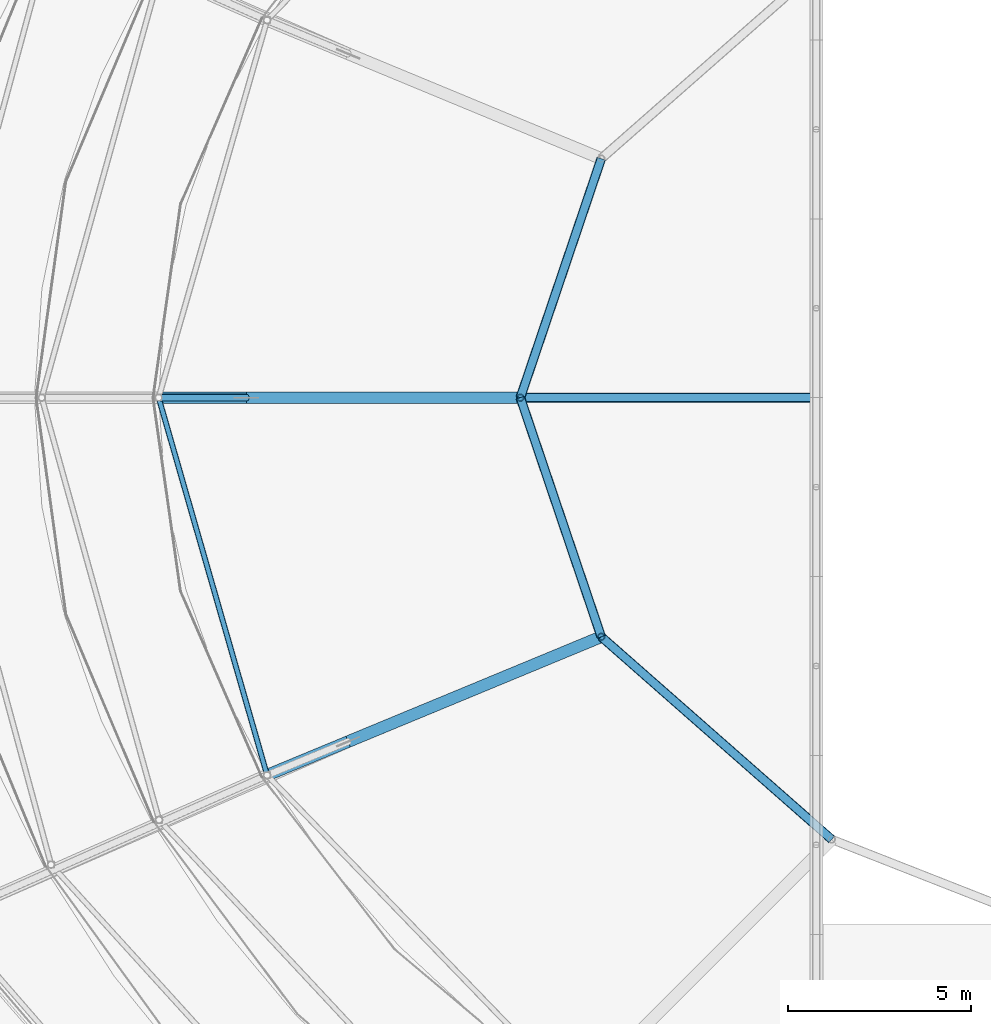
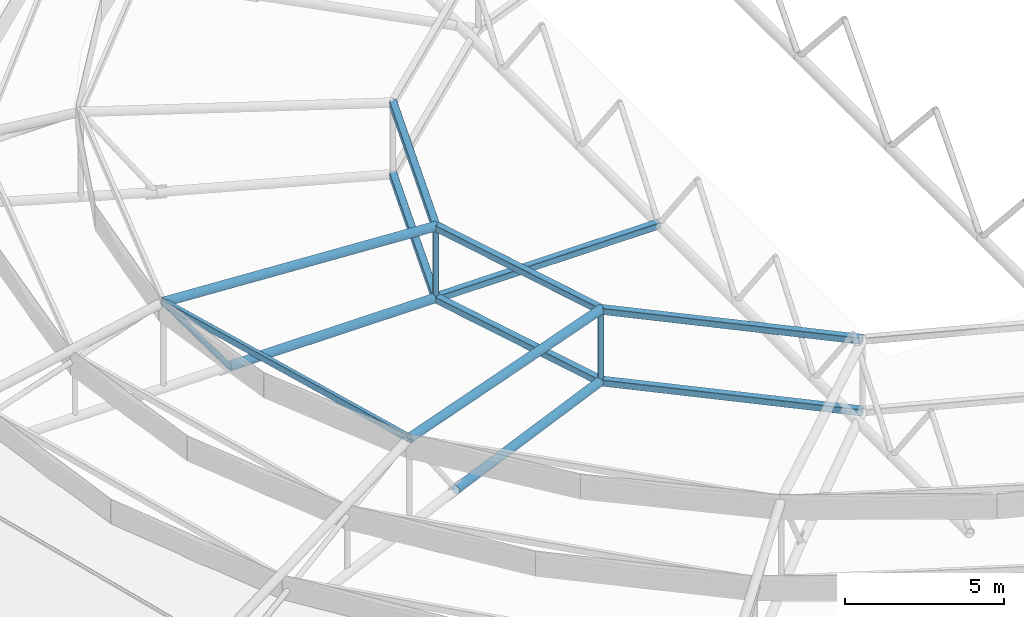
# One storey, part 18 of 134: 14 members, 1 beam.
"""IFC4 building model written with IfcOpenShell, lengths in metres."""

import ifcopenshell
import ifcopenshell.guid

model = None  # the IFC model being written
_history = None  # IfcOwnerHistory: only IFC2X3 demands one
_inside = {}  # id of a spatial element -> (the spatial element, [elements in it])
_under = {}  # id of a project, library or spatial element -> (it, [spatial elements below it])
_declared = {}  # id of a project -> (the project, [libraries it declares])
_typed = {}  # id of a type object -> (the type object, [elements of that type])
_made_of = {}  # id of a material, layer set ... -> (it, [elements and type objects made of it])


def new_model(schema):
    """Start an empty IFC model of exactly this schema.

    Asked for "IFC4X3", IfcOpenShell would pick the latest addendum, in which some entities
    have other attributes; the version numbers below select the first issue.
    IFC2X3 requires an IfcOwnerHistory on every rooted entity: one is made here for all.
    """
    global model, _history
    if schema == "IFC4X3":
        model = ifcopenshell.file(schema_version=(4, 3, 0, 0))
    else:
        model = ifcopenshell.file(schema=schema)
    _inside.clear()
    _under.clear()
    _declared.clear()
    _typed.clear()
    _made_of.clear()
    _history = None
    if model.schema == "IFC2X3":
        org = make("IfcOrganization", Name="unknown")
        user = make(
            "IfcPersonAndOrganization",
            ThePerson=make("IfcPerson", FamilyName="unknown"),
            TheOrganization=org,
        )
        app = make(
            "IfcApplication",
            ApplicationDeveloper=org,
            Version="unknown",
            ApplicationFullName="unknown",
            ApplicationIdentifier="unknown",
        )
        _history = make(
            "IfcOwnerHistory",
            OwningUser=user,
            OwningApplication=app,
            ChangeAction="ADDED",
            CreationDate=0,
        )
    return model


def make(cls, **values):
    """One entity of the class cls with the attributes given. An attribute that is None is left unset."""
    return model.create_entity(
        cls, **{name: value for name, value in values.items() if value is not None}
    )


def rooted(cls, **values):
    """An entity with a GlobalId (a new one), such as an element, a storey or a relation."""
    return make(cls, GlobalId=ifcopenshell.guid.new(), OwnerHistory=_history, **values)


def si_unit(unit_type, name, prefix=None):
    """IfcSIUnit, for example si_unit("LENGTHUNIT", "METRE", prefix="MILLI")."""
    return make("IfcSIUnit", UnitType=unit_type, Prefix=prefix, Name=name)


def derived_unit(unit_type, elements):
    """IfcDerivedUnit: a product of units, each with its exponent."""
    return make(
        "IfcDerivedUnit",
        Elements=[
            make("IfcDerivedUnitElement", Unit=unit, Exponent=power)
            for unit, power in elements
        ],
        UnitType=unit_type,
    )


def assignment(units):
    """IfcUnitAssignment: the units of a project."""
    return None if units is None else make("IfcUnitAssignment", Units=units)


def point(xyz):
    """IfcCartesianPoint."""
    return None if xyz is None else make("IfcCartesianPoint", Coordinates=xyz)


def direction(xyz):
    """IfcDirection."""
    return None if xyz is None else make("IfcDirection", DirectionRatios=xyz)


def frame(location, z_axis=None, x_axis=None):
    """IfcAxis2Placement3D, a coordinate frame: its origin and axes. An axis left out is left unset."""
    return make(
        "IfcAxis2Placement3D",
        Location=point(location),
        Axis=direction(z_axis),
        RefDirection=direction(x_axis),
    )


def frame_2d(location, x_axis=None):
    """IfcAxis2Placement2D, a coordinate frame in the plane: its origin and x axis."""
    return make(
        "IfcAxis2Placement2D", Location=point(location), RefDirection=direction(x_axis)
    )


def origin():
    """The frame at (0, 0, 0) with its axes left unset."""
    return frame((0.0, 0.0, 0.0))


def origin_2d():
    """The frame at (0, 0) in the plane with its x axis left unset."""
    return frame_2d((0.0, 0.0))


def place(relative_to, where):
    """IfcLocalPlacement: puts the frame where relative to a parent placement (None: the world)."""
    return make(
        "IfcLocalPlacement", PlacementRelTo=relative_to, RelativePlacement=where
    )


def context(
    kind, dimensions, precision=None, world=None, true_north=None, identifier=None
):
    """IfcGeometricRepresentationContext, for example the 3D "Model" context."""
    return make(
        "IfcGeometricRepresentationContext",
        ContextIdentifier=identifier,
        ContextType=kind,
        CoordinateSpaceDimension=dimensions,
        Precision=precision,
        WorldCoordinateSystem=world,
        TrueNorth=true_north,
    )


def subcontext(parent, identifier, kind, view, scale=None):
    """IfcGeometricRepresentationSubContext, for example "Body" below "Model"."""
    return make(
        "IfcGeometricRepresentationSubContext",
        ContextIdentifier=identifier,
        ContextType=kind,
        ParentContext=parent,
        TargetScale=scale,
        TargetView=view,
    )


def project(units=None, contexts=None):
    """IfcProject with its units and contexts."""
    return rooted(
        "IfcProject",
        Name="project",
        RepresentationContexts=contexts,
        UnitsInContext=assignment(units),
    )


def spatial(cls, under=None, at=None, **own):
    """A site, building, storey or space (cls), placed at a placement, below another one or the project."""
    s = rooted(cls, ObjectPlacement=at, **own)
    if under is not None:
        _under.setdefault(under.id(), (under, []))[1].append(s)
    return s


def profile(cls, at=None, kind="AREA", **sizes):
    """A parametric profile (cls). Its sizes go by their IFC names, for example OverallWidth=200.0."""
    return make(cls, ProfileType=kind, Position=at, **sizes)


def hollow_rectangle(**sizes):
    """IfcRectangleHollowProfileDef."""
    return profile("IfcRectangleHollowProfileDef", **sizes)


def hollow_circle(**sizes):
    """IfcCircleHollowProfileDef."""
    return profile("IfcCircleHollowProfileDef", **sizes)


def extrude(swept, where, along, depth):
    """IfcExtrudedAreaSolid: the profile swept, set in the frame where, extruded along a direction by depth."""
    return make(
        "IfcExtrudedAreaSolid",
        SweptArea=swept,
        Position=where,
        ExtrudedDirection=direction(along),
        Depth=depth,
    )


def shape(context_of_items, identifier, shape_type, items):
    """IfcShapeRepresentation: the items that make up one representation, for example the "Body"."""
    return make(
        "IfcShapeRepresentation",
        ContextOfItems=context_of_items,
        RepresentationIdentifier=identifier,
        RepresentationType=shape_type,
        Items=items,
    )


def material(Name=None, Category=None):
    """IfcMaterial."""
    return make("IfcMaterial", Name=Name, Category=Category)


def material_profile(
    of_material, cross_section, Name=None, Category=None, Priority=None
):
    """IfcMaterialProfile: a cross section and its material."""
    return make(
        "IfcMaterialProfile",
        Name=Name,
        Material=of_material,
        Profile=cross_section,
        Priority=Priority,
        Category=Category,
    )


def profile_set(profiles, Name=None, composite=None):
    """IfcMaterialProfileSet."""
    return make(
        "IfcMaterialProfileSet",
        Name=Name,
        MaterialProfiles=profiles,
        CompositeProfile=composite,
    )


def made_of(thing, what):
    """Note that an element or type object is made of a material, layer set ...; save() writes the relation."""
    if what is not None:
        _made_of.setdefault(what.id(), (what, []))[1].append(thing)
    return thing


def type_object(cls, material=None, **own):
    """A type object (cls), such as IfcWallType, which elements share."""
    return made_of(rooted(cls, **own), material)


def element(
    cls,
    number,
    at=None,
    inside=None,
    cuts=None,
    type_object=None,
    material=None,
    context=None,
    identifier="Body",
    shape_type=None,
    held_by="IfcProductDefinitionShape",
    body=None,
    shapes=None,
    **own,
):
    """One element of the class cls, such as IfcWall. Its Tag is "e" and its number.

    at: its placement. inside: the storey or other place that contains it. cuts: it is an
    opening in that element (IfcRelVoidsElement). A single representation is given by context,
    identifier, shape_type and body (its items); several are given by shapes. held_by: the class
    of the entity that holds the representations. save() writes the other relations.
    """
    e = rooted(cls, Tag="e%d" % number, ObjectPlacement=at, **own)
    if body is not None:
        shapes = [shape(context, identifier, shape_type, body)]
    if shapes is not None:
        e.Representation = make(held_by, Representations=shapes)
    if inside is not None:
        _inside.setdefault(inside.id(), (inside, []))[1].append(e)
    if cuts is not None:
        rooted(
            "IfcRelVoidsElement", RelatingBuildingElement=cuts, RelatedOpeningElement=e
        )
    if type_object is not None:
        _typed.setdefault(type_object.id(), (type_object, []))[1].append(e)
    return made_of(e, material)


def aggregate(whole, parts):
    """IfcRelAggregates: a whole, such as a stair, and the parts it consists of."""
    return rooted("IfcRelAggregates", RelatingObject=whole, RelatedObjects=parts)


def save(model, path):
    """Write the relations noted so far, then the file.

    IfcRelAggregates (storeys below a building ...), IfcRelContainedInSpatialStructure (elements
    in a storey), IfcRelDefinesByType, IfcRelAssociatesMaterial and IfcRelDeclares: one each for
    every whole, place, type object, material and project.
    """
    for whole, parts in _under.values():
        aggregate(whole, parts)
    for where, things in _inside.values():
        rooted(
            "IfcRelContainedInSpatialStructure",
            RelatedElements=things,
            RelatingStructure=where,
        )
    for kind, things in _typed.values():
        rooted("IfcRelDefinesByType", RelatedObjects=things, RelatingType=kind)
    for what, things in _made_of.values():
        rooted("IfcRelAssociatesMaterial", RelatedObjects=things, RelatingMaterial=what)
    for by, libraries in _declared.values():
        rooted("IfcRelDeclares", RelatingContext=by, RelatedDefinitions=libraries)
    model.write(path)


model = new_model("IFC4")

# Units and contexts
model_context = context("Model", 3, precision=1e-05, world=origin(), true_north=direction((0.0, 1.0)))
body_context = subcontext(model_context, "Body", "Model", "MODEL_VIEW")
ifc_project = project(units=[si_unit("LENGTHUNIT", "METRE"), si_unit("AREAUNIT", "SQUARE_METRE"), si_unit("VOLUMEUNIT", "CUBIC_METRE"), si_unit("PLANEANGLEUNIT", "RADIAN"), si_unit("MASSUNIT", "GRAM", prefix="KILO"), derived_unit("THERMALTRANSMITTANCEUNIT", [(si_unit("MASSUNIT", "GRAM", prefix="KILO"), 1), (si_unit("TIMEUNIT", "SECOND"), -3), (si_unit("THERMODYNAMICTEMPERATUREUNIT", "KELVIN"), -1)])], contexts=[model_context])

# Site, building, storey
site_placement = place(None, origin())
site = spatial("IfcSite", under=ifc_project, at=site_placement, CompositionType="ELEMENT")
building_placement = place(site_placement, origin())
building = spatial("IfcBuilding", under=site, at=building_placement, Name="Kharveza Railside Sports Centre", CompositionType="ELEMENT")
storey_placement = place(building_placement, frame((0.0, 0.0, 12.89990234375)))
storey = spatial("IfcBuildingStorey", under=building, at=storey_placement, Name="L03", CompositionType="ELEMENT", Elevation=12.89990234375)

# Beam
ifc_material = material(Name="Steel S355J2", Category="steel")
ifc_material_profile_1 = material_profile(ifc_material, hollow_rectangle(XDim=0.14990234375, YDim=0.25, WallThickness=0.010009765625, InnerFilletRadius=0.010009765625, OuterFilletRadius=0.02001953125, at=origin_2d()), Name="RHS 150x250x10.0")
ifc_profile_set_1 = profile_set([ifc_material_profile_1], Name="Steel S355J2")
beam_type = type_object("IfcBeamType", Name="BM-SP04", PredefinedType="SPANDREL", material=ifc_profile_set_1)
beam_placement = place(storey_placement, frame((15.60009765625, 50.39990234375, 3.255126953125), z_axis=(0.276133578517, -0.961119267737, 0.0), x_axis=(0.961119267737, 0.276133578517, 0.0)))
element("IfcBeam", 1, at=beam_placement, inside=storey, type_object=beam_type, Name="BM-LIDRING-S4-09", PredefinedType="SPANDREL", context=body_context, shape_type="SweptSolid", body=[
    extrude(hollow_rectangle(XDim=0.14990234375, YDim=0.25, WallThickness=0.010009765625, InnerFilletRadius=0.010009765625, OuterFilletRadius=0.02001953125, at=origin_2d()), origin(), (0.0, 0.0, 1.0), 10.750244140625),
])

# Members
ifc_material_profile_2 = material_profile(ifc_material, hollow_circle(Radius=0.161865234375, WallThickness=0.01611328125, at=origin_2d()), Name="CHS 323.9x16.0")
ifc_profile_set_2 = profile_set([ifc_material_profile_2], Name="Steel S355J2")
member_type_1 = type_object("IfcMemberType", Name="MB-CH02", PredefinedType="CHORD", material=ifc_profile_set_2)
member_1_placement = place(storey_placement, frame((25.5, 50.39990234375, -0.0498046875), z_axis=(-1.0, 0.0, 0.0), x_axis=(0.0, -1.0, 0.0)))
element("IfcMember", 2, at=member_1_placement, inside=storey, type_object=member_type_1, Name="MB-OUT-BC1-09", PredefinedType="CHORD", context=body_context, shape_type="SweptSolid", body=[
    extrude(hollow_circle(Radius=0.161865234375, WallThickness=0.01611328125, at=origin_2d()), origin(), (0.0, 0.0, 1.0), 7.5),
])
member_2_placement = place(storey_placement, frame((25.5, 50.39990234375, 2.7001953125), z_axis=(-0.998461413705, 0.0, 0.055450927341), x_axis=(0.0, -1.0, 0.0)))
element("IfcMember", 3, at=member_2_placement, inside=storey, type_object=member_type_1, Name="MB-OUT-TC1-09", PredefinedType="CHORD", context=body_context, shape_type="SweptSolid", body=[
    extrude(hollow_circle(Radius=0.161865234375, WallThickness=0.01611328125, at=origin_2d()), origin(), (0.0, 0.0, 1.0), 9.9150390625),
])
member_3_placement = place(storey_placement, frame((27.715087890625, 43.856201171875, -0.0498046875), z_axis=(-0.92388194159, -0.382677616283, 0.0), x_axis=(0.382677616283, -0.92388194159, 0.0)))
element("IfcMember", 4, at=member_3_placement, inside=storey, type_object=member_type_1, Name="MB-OUT-BC1-10", PredefinedType="CHORD", context=body_context, shape_type="SweptSolid", body=[
    extrude(hollow_circle(Radius=0.161865234375, WallThickness=0.01611328125, at=origin_2d()), origin(), (0.0, 0.0, 1.0), 7.5),
])
member_4_placement = place(storey_placement, frame((27.715087890625, 43.856201171875, 2.7001953125), z_axis=(-0.922450278207, -0.38211365224, 0.055449445508), x_axis=(0.382702441477, -0.92387165845, 0.0)))
element("IfcMember", 5, at=member_4_placement, inside=storey, type_object=member_type_1, Name="MB-OUT-TC1-10", PredefinedType="CHORD", context=body_context, shape_type="SweptSolid", body=[
    extrude(hollow_circle(Radius=0.161865234375, WallThickness=0.01611328125, at=origin_2d()), origin(), (0.0, 0.0, 1.0), 9.91552734375),
])
ifc_material_profile_3 = material_profile(ifc_material, hollow_rectangle(XDim=0.25, YDim=0.25, WallThickness=0.012451171875, InnerFilletRadius=0.012451171875, OuterFilletRadius=0.02490234375, at=origin_2d()), Name="SHS 250x250x12.5")
ifc_profile_set_3 = profile_set([ifc_material_profile_3], Name="Steel S355J2")
member_type_2 = type_object("IfcMemberType", Name="MB-CH05", PredefinedType="CHORD", material=ifc_profile_set_3)
for number, where, z_axis, x_axis, name in (
    (6, (27.715087890625, 56.94384765625, -0.0498046875), (-0.320623978008, -0.947206558638, 0.0), (0.947206558638, -0.320623978008, 0.0), "MB-INRING-BOT-08"),
    (7, (27.715087890625, 56.94384765625, 2.7001953125), (-0.320623978008, -0.947206558638, 0.0), (0.947206558638, -0.320623978008, 0.0), "MB-INRING-TOP-08"),
):
    element("IfcMember", number, at=place(storey_placement, frame(where, z_axis=z_axis, x_axis=x_axis)), inside=storey, type_object=member_type_2, Name=name, PredefinedType="CHORD", context=body_context, shape_type="SweptSolid", body=[
        extrude(hollow_rectangle(XDim=0.25, YDim=0.25, WallThickness=0.012451171875, InnerFilletRadius=0.012451171875, OuterFilletRadius=0.02490234375, at=origin_2d()), origin(), (0.0, 0.0, 1.0), 6.90869140625),
    ])
for number, where, z_axis, x_axis, name in (
    (8, (25.5, 50.39990234375, -0.0498046875), (0.320634710473, -0.947202925692, 0.0), (0.947202925692, 0.320634710473, 0.0), "MB-INRING-BOT-09"),
    (9, (25.5, 50.39990234375, 2.7001953125), (0.320634710473, -0.947202925692, 0.0), (0.947202925692, 0.320634710473, 0.0), "MB-INRING-TOP-09"),
):
    element("IfcMember", number, at=place(storey_placement, frame(where, z_axis=z_axis, x_axis=x_axis)), inside=storey, type_object=member_type_2, Name=name, PredefinedType="CHORD", context=body_context, shape_type="SweptSolid", body=[
        extrude(hollow_rectangle(XDim=0.25, YDim=0.25, WallThickness=0.012451171875, InnerFilletRadius=0.012451171875, OuterFilletRadius=0.02490234375, at=origin_2d()), origin(), (0.0, 0.0, 1.0), 6.908447265625),
    ])
for number, where, z_axis, x_axis, name in (
    (10, (27.715087890625, 43.856201171875, -0.0498046875), (0.75092160936, -0.660391351091, 0.0), (0.660391351091, 0.75092160936, 0.0), "MB-INRING-BOT-10"),
    (11, (27.715087890625, 43.856201171875, 2.7001953125), (0.75092160936, -0.660391351091, 0.0), (0.660391351091, 0.75092160936, 0.0), "MB-INRING-TOP-10"),
):
    element("IfcMember", number, at=place(storey_placement, frame(where, z_axis=z_axis, x_axis=x_axis)), inside=storey, type_object=member_type_2, Name=name, PredefinedType="CHORD", context=body_context, shape_type="SweptSolid", body=[
        extrude(hollow_rectangle(XDim=0.25, YDim=0.25, WallThickness=0.012451171875, InnerFilletRadius=0.012451171875, OuterFilletRadius=0.02490234375, at=origin_2d()), origin(), (0.0, 0.0, 1.0), 8.400390625),
    ])
member_5_placement = place(storey_placement, frame((25.5, 50.39990234375, -0.0498046875), z_axis=(1.0, 0.0, 0.0), x_axis=(0.0, 1.0, 0.0)))
element("IfcMember", 12, at=member_5_placement, inside=storey, type_object=member_type_2, Name="MB-INRING-TIE-09", PredefinedType="CHORD", context=body_context, shape_type="SweptSolid", body=[
    extrude(hollow_rectangle(XDim=0.25, YDim=0.25, WallThickness=0.012451171875, InnerFilletRadius=0.012451171875, OuterFilletRadius=0.02490234375, at=origin_2d()), origin(), (0.0, 0.0, 1.0), 8.10009765625),
])
ifc_material_profile_4 = material_profile(ifc_material, hollow_circle(Radius=0.096923828125, WallThickness=0.010009765625, at=origin_2d()), Name="CHS 193.7x10.0")
ifc_profile_set_4 = profile_set([ifc_material_profile_4], Name="Steel S355J2")
member_type_3 = type_object("IfcMemberType", Name="MB-ST02", PredefinedType="STRUT", material=ifc_profile_set_4)
member_6_placement = place(storey_placement, frame((25.5, 50.39990234375, -0.0498046875), z_axis=(0.0, 0.0, 1.0), x_axis=(1.0, 0.0, 0.0)))
element("IfcMember", 13, at=member_6_placement, inside=storey, type_object=member_type_3, Name="MB-OUT-WEB-09-1", PredefinedType="STRUT", context=body_context, shape_type="SweptSolid", body=[
    extrude(hollow_circle(Radius=0.096923828125, WallThickness=0.010009765625, at=origin_2d()), origin(), (0.0, 0.0, 1.0), 2.75),
])
member_7_placement = place(storey_placement, frame((18.0, 50.39990234375, -0.0498046875), z_axis=(-0.588178813175, 0.0, 0.808730909346), x_axis=(0.0, -1.0, 0.0)))
element("IfcMember", 14, at=member_7_placement, inside=storey, type_object=member_type_3, Name="MB-OUT-WEB-09-2", PredefinedType="STRUT", context=body_context, shape_type="SweptSolid", body=[
    extrude(hollow_circle(Radius=0.096923828125, WallThickness=0.010009765625, at=origin_2d()), origin(), (0.0, 0.0, 1.0), 4.080322265625),
])
member_8_placement = place(storey_placement, frame((27.715087890625, 43.856201171875, -0.0498046875), z_axis=(0.0, 0.0, 1.0), x_axis=(1.0, 0.0, 0.0)))
element("IfcMember", 15, at=member_8_placement, inside=storey, type_object=member_type_3, Name="MB-OUT-WEB-10-1", PredefinedType="STRUT", context=body_context, shape_type="SweptSolid", body=[
    extrude(hollow_circle(Radius=0.096923828125, WallThickness=0.010009765625, at=origin_2d()), origin(), (0.0, 0.0, 1.0), 2.75),
])

save(model, "model.ifc")
